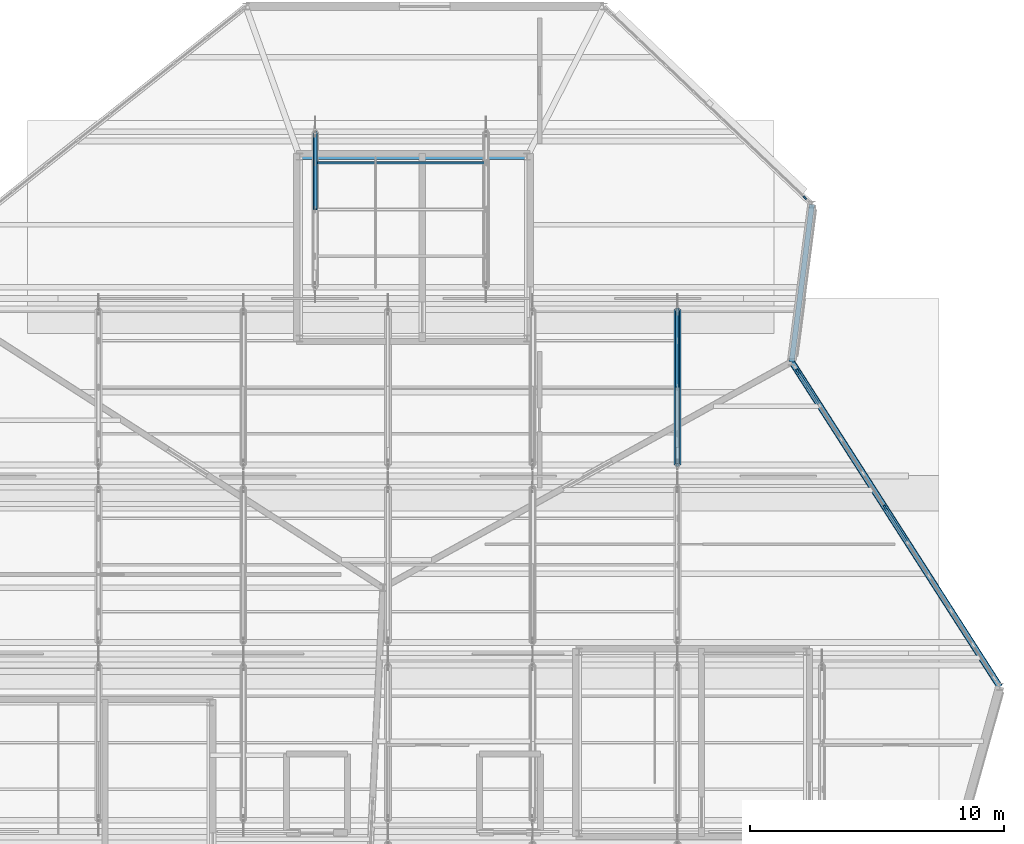
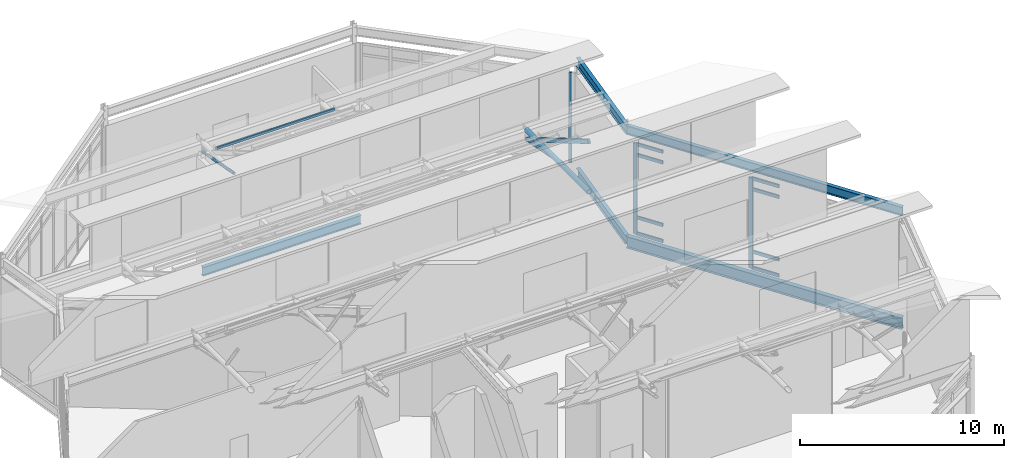
# One storey, part 36 of 55: 15 members, 6 beams, 2 elements without a shape of their own.
"""IFC4 building model written with IfcOpenShell, lengths in metres."""

from ifc_helpers import new_model, si_unit, direction, frame, origin, origin_2d, place, context, subcontext, project, spatial, rectangle, hollow_rectangle, hollow_circle, i_section, extrude, material, material_profile, profile_set, type_object, element, aggregate, save


model = new_model("IFC4")

# Units and contexts
model_context = context("Model", 3, precision=1e-05, world=origin(), true_north=direction((0.0, 1.0)))
body_context = subcontext(model_context, "Body", "Model", "MODEL_VIEW")
ifc_project = project(units=[si_unit("LENGTHUNIT", "METRE"), si_unit("AREAUNIT", "SQUARE_METRE"), si_unit("VOLUMEUNIT", "CUBIC_METRE"), si_unit("PLANEANGLEUNIT", "RADIAN"), si_unit("MASSUNIT", "GRAM", prefix="KILO")], contexts=[model_context])

# Site, building, storey
site_placement = place(None, origin())
site = spatial("IfcSite", under=ifc_project, at=site_placement, CompositionType="ELEMENT")
building_placement = place(site_placement, origin())
building = spatial("IfcBuilding", under=site, at=building_placement, Name="Tameran Prism Museum", CompositionType="ELEMENT")
storey_placement = place(building_placement, frame((0.0, 0.0, 28.800048828125)))
storey = spatial("IfcBuildingStorey", under=building, at=storey_placement, Name="L05", CompositionType="ELEMENT", Elevation=28.800048828125)

# Beams
ifc_material_1 = material(Name="Steel Grade C350L0 (350 MPa)", Category="steel")
ifc_material_profile_1 = material_profile(ifc_material_1, hollow_rectangle(XDim=0.10009765625, YDim=0.14990234375, WallThickness=0.006103515625, InnerFilletRadius=0.009033203125, OuterFilletRadius=0.014892578125, at=origin_2d()))
ifc_profile_set_1 = profile_set([ifc_material_profile_1])
beam_type_1 = type_object("IfcBeamType", Name="BM-PUR150", PredefinedType="USERDEFINED", material=ifc_profile_set_1)
beam_1_placement = place(storey_placement, frame((116.133056640625, 105.8359375, 6.75390625), z_axis=(1.0, 0.0, 0.0), x_axis=(0.0, 1.0, 0.0)))
element("IfcBeam", 1, at=beam_1_placement, inside=storey, type_object=beam_type_1, Name="Sawtooth Purlin PR-027", ObjectType="PURLIN", PredefinedType="USERDEFINED", context=body_context, shape_type="SweptSolid", body=[
    extrude(hollow_rectangle(XDim=0.10009765625, YDim=0.14990234375, WallThickness=0.006103515625, InnerFilletRadius=0.009033203125, OuterFilletRadius=0.014892578125, at=origin_2d()), origin(), (0.0, 0.0, 1.0), 6.73388671875),
])
ifc_material_2 = material(Name="Steel Grade 300PLUS (300 MPa)", Category="steel")
ifc_material_profile_2 = material_profile(ifc_material_2, i_section(OverallWidth=0.208984375, OverallDepth=0.528076171875, WebThickness=0.009521484375, FlangeThickness=0.01318359375, FilletRadius=0.013916015625, at=origin_2d()))
ifc_profile_set_2 = profile_set([ifc_material_profile_2])
beam_type_2 = type_object("IfcBeamType", Name="BM-SP530B", PredefinedType="SPANDREL", material=ifc_profile_set_2)
beam_2_placement = place(storey_placement, frame((143.10009765625, 85.199951171875, 6.10595703125), z_axis=(-0.539434641352, 0.842027474439, 0.0), x_axis=(-0.842027474439, -0.539434641352, 0.0)))
element("IfcBeam", 2, at=beam_2_placement, inside=storey, type_object=beam_type_2, Name="Roof Ring Beam RB-1259", PredefinedType="SPANDREL", context=body_context, shape_type="SweptSolid", body=[
    extrude(i_section(OverallWidth=0.208984375, OverallDepth=0.528076171875, WebThickness=0.009521484375, FlangeThickness=0.01318359375, FilletRadius=0.013916015625, at=origin_2d()), origin(), (0.0, 0.0, 1.0), 15.201416015625),
])
for number, where, z_axis, x_axis, name in (
    (3, (134.89990234375, 98.0, -0.504150390625), (0.127980011854, 0.991776747341, 0.0), (-0.991776747341, 0.127980011854, 0.0), "Perimeter Spandrel SP-1261"),
    (4, (134.89990234375, 98.0, 6.10595703125), (0.127980011854, 0.991776747341, 0.0), (-0.991776747341, 0.127980011854, 0.0), "Roof Ring Beam RB-1266"),
):
    element("IfcBeam", number, at=place(storey_placement, frame(where, z_axis=z_axis, x_axis=x_axis)), inside=storey, type_object=beam_type_2, Name=name, PredefinedType="SPANDREL", context=body_context, shape_type="SweptSolid", body=[
        extrude(i_section(OverallWidth=0.208984375, OverallDepth=0.528076171875, WebThickness=0.009521484375, FlangeThickness=0.01318359375, FilletRadius=0.013916015625, at=origin_2d()), origin(), (0.0, 0.0, 1.0), 6.25146484375),
    ])
beam_3_placement = place(storey_placement, frame((124.47998046875, 106.080078125, -0.504150390625), z_axis=(-1.0, 0.0, 0.0), x_axis=(0.0, -1.0, 0.0)))
element("IfcBeam", 5, at=beam_3_placement, inside=storey, type_object=beam_type_2, Name="Core Ring Beam CTB-1281", PredefinedType="SPANDREL", context=body_context, shape_type="SweptSolid", body=[
    extrude(i_section(OverallWidth=0.208984375, OverallDepth=0.528076171875, WebThickness=0.009521484375, FlangeThickness=0.01318359375, FilletRadius=0.013916015625, at=origin_2d()), origin(), (0.0, 0.0, 1.0), 8.9599609375),
])
ifc_material_3 = material(Name="Steel Grade 350 (350 MPa)", Category="steel")
ifc_material_profile_3 = material_profile(ifc_material_3, i_section(OverallWidth=0.25, OverallDepth=0.699951171875, WebThickness=0.010009765625, FlangeThickness=0.02001953125, at=origin_2d()))
ifc_profile_set_3 = profile_set([ifc_material_profile_3])
beam_type_3 = type_object("IfcBeamType", Name="BM-SP700", PredefinedType="SPANDREL", material=ifc_profile_set_3)
beam_4_placement = place(storey_placement, frame((143.10009765625, 85.199951171875, -0.590087890625), z_axis=(-0.539434641352, 0.842027474439, 0.0), x_axis=(-0.842027474439, -0.539434641352, 0.0)))
element("IfcBeam", 6, at=beam_4_placement, inside=storey, type_object=beam_type_3, Name="Perimeter Spandrel SP-1254", PredefinedType="SPANDREL", context=body_context, shape_type="SweptSolid", body=[
    extrude(i_section(OverallWidth=0.25, OverallDepth=0.699951171875, WebThickness=0.010009765625, FlangeThickness=0.02001953125, at=origin_2d()), origin(), (0.0, 0.0, 1.0), 15.201416015625),
])

# Curtain wall, member
ifc_material_4 = material(Name="Anodised Aluminium 6063-T6 and Cyclone Solar Glass", Category="aluminium")
curtain_wall_type_1 = type_object("IfcCurtainWallType", Name="CW-FAC-1062x542", PredefinedType="USERDEFINED", material=ifc_material_4)
curtain_wall_1_placement = place(storey_placement, origin())
curtain_wall_1 = element("IfcCurtainWall", 7, at=curtain_wall_1_placement, inside=storey, type_object=curtain_wall_type_1, Name="Unitised Curtain Wall CW-167", ObjectType="UNITISED CURTAIN WALL", PredefinedType="USERDEFINED")
ifc_material_5 = material(Name="Anodised Aluminium Alloy 6063-T6", Category="aluminium")
ifc_material_profile_4 = material_profile(ifc_material_5, rectangle(XDim=0.06494140625, YDim=0.159912109375, at=origin_2d()))
ifc_profile_set_4 = profile_set([ifc_material_profile_4])
member_type_1 = type_object("IfcMemberType", Name="CW-MUL-A", PredefinedType="MULLION", material=ifc_profile_set_4)
member_1_placement = place(storey_placement, frame((135.42236328125, 104.46337890625, 0.0), z_axis=(0.0, 0.0, 1.0), x_axis=(0.689274065662, 0.724500698692, 0.0)))
member_1 = element("IfcMember", 8, at=member_1_placement, type_object=member_type_1, Name="CW-167 mullion 8", PredefinedType="MULLION", context=body_context, shape_type="SweptSolid", body=[
    extrude(rectangle(XDim=0.06494140625, YDim=0.159912109375, at=origin_2d()), origin(), (0.0, 0.0, 1.0), 5.419921875),
])
aggregate(curtain_wall_1, [member_1])

# Curtain wall, members
ifc_material_6 = material(Name="Anodised Aluminium 6063-T6 and Cyclone Solar Glass", Category="aluminium")
curtain_wall_type_2 = type_object("IfcCurtainWallType", Name="CW-FAC-1444x542", PredefinedType="USERDEFINED", material=ifc_material_6)
curtain_wall_2_placement = place(storey_placement, origin())
curtain_wall_2 = element("IfcCurtainWall", 9, at=curtain_wall_2_placement, inside=storey, type_object=curtain_wall_type_2, Name="Unitised Curtain Wall CW-166", ObjectType="UNITISED CURTAIN WALL", PredefinedType="USERDEFINED")
ifc_material_7 = material(Name="Anodised Aluminium Alloy 6063-T6", Category="aluminium")
ifc_material_profile_5 = material_profile(ifc_material_7, rectangle(XDim=0.080078125, YDim=0.219970703125, at=origin_2d()))
ifc_profile_set_5 = profile_set([ifc_material_profile_5])
member_type_2 = type_object("IfcMemberType", Name="CW-MUL-D", PredefinedType="MULLION", material=ifc_profile_set_5)
member_2_placement = place(storey_placement, frame((135.142578125, 97.621337890625, 0.0), z_axis=(0.0, 0.0, 1.0), x_axis=(0.842032375697, 0.539426990683, 0.0)))
member_2 = element("IfcMember", 10, at=member_2_placement, type_object=member_type_2, Name="CW-166 mullion 1", PredefinedType="MULLION", context=body_context, shape_type="SweptSolid", body=[
    extrude(rectangle(XDim=0.080078125, YDim=0.219970703125, at=origin_2d()), origin(), (0.0, 0.0, 1.0), 5.419921875),
])
member_3_placement = place(storey_placement, frame((138.583251953125, 92.25048828125, 0.0), z_axis=(0.0, 0.0, 1.0), x_axis=(0.842032375697, 0.539426990683, 0.0)))
member_3 = element("IfcMember", 11, at=member_3_placement, type_object=member_type_2, Name="CW-166 mullion 5", PredefinedType="MULLION", context=body_context, shape_type="SweptSolid", body=[
    extrude(rectangle(XDim=0.080078125, YDim=0.219970703125, at=origin_2d()), origin(), (0.0, 0.0, 1.0), 5.419921875),
])
ifc_material_8 = material(Name="Anodised Aluminium Alloy 6063-T6", Category="aluminium")
ifc_material_profile_6 = material_profile(ifc_material_8, rectangle(XDim=0.080078125, YDim=0.195068359375, at=origin_2d()))
ifc_profile_set_6 = profile_set([ifc_material_profile_6])
member_type_3 = type_object("IfcMemberType", Name="CW-TRN-D", PredefinedType="USERDEFINED", material=ifc_profile_set_6)
member_4_placement = place(storey_placement, frame((135.1640625, 97.587646484375, 0.0400390625), z_axis=(0.539543579961, -0.841957674306, 0.0), x_axis=(0.841957674306, 0.539543579961, 0.0)))
member_4 = element("IfcMember", 12, at=member_4_placement, type_object=member_type_3, Name="CW-166 transom 1.1", ObjectType="TRANSOM", PredefinedType="USERDEFINED", context=body_context, shape_type="SweptSolid", body=[
    extrude(rectangle(XDim=0.080078125, YDim=0.195068359375, at=origin_2d()), origin(), (0.0, 0.0, 1.0), 1.484619140625),
])
member_5_placement = place(storey_placement, frame((135.1640625, 97.587646484375, 1.0), z_axis=(0.539543579961, -0.841957674306, 0.0), x_axis=(0.841957674306, 0.539543579961, 0.0)))
member_5 = element("IfcMember", 13, at=member_5_placement, type_object=member_type_3, Name="CW-166 transom 1.2", ObjectType="TRANSOM", PredefinedType="USERDEFINED", context=body_context, shape_type="SweptSolid", body=[
    extrude(rectangle(XDim=0.080078125, YDim=0.195068359375, at=origin_2d()), origin(), (0.0, 0.0, 1.0), 1.484619140625),
])
member_6_placement = place(storey_placement, frame((135.1640625, 97.587646484375, 4.739990234375), z_axis=(0.539543579961, -0.841957674306, 0.0), x_axis=(0.841957674306, 0.539543579961, 0.0)))
member_6 = element("IfcMember", 14, at=member_6_placement, type_object=member_type_3, Name="CW-166 transom 1.3", ObjectType="TRANSOM", PredefinedType="USERDEFINED", context=body_context, shape_type="SweptSolid", body=[
    extrude(rectangle(XDim=0.080078125, YDim=0.195068359375, at=origin_2d()), origin(), (0.0, 0.0, 1.0), 1.484619140625),
])
member_7_placement = place(storey_placement, frame((135.1640625, 97.587646484375, 5.3798828125), z_axis=(0.539543579961, -0.841957674306, 0.0), x_axis=(0.841957674306, 0.539543579961, 0.0)))
member_7 = element("IfcMember", 15, at=member_7_placement, type_object=member_type_3, Name="CW-166 transom 1.4", ObjectType="TRANSOM", PredefinedType="USERDEFINED", context=body_context, shape_type="SweptSolid", body=[
    extrude(rectangle(XDim=0.080078125, YDim=0.195068359375, at=origin_2d()), origin(), (0.0, 0.0, 1.0), 1.484619140625),
])
member_8_placement = place(storey_placement, frame((138.604736328125, 92.216796875, 0.0400390625), z_axis=(0.539494402493, -0.8419891862, 0.0), x_axis=(0.8419891862, 0.539494402493, 0.0)))
member_8 = element("IfcMember", 16, at=member_8_placement, type_object=member_type_3, Name="CW-166 transom 5.1", ObjectType="TRANSOM", PredefinedType="USERDEFINED", context=body_context, shape_type="SweptSolid", body=[
    extrude(rectangle(XDim=0.080078125, YDim=0.195068359375, at=origin_2d()), origin(), (0.0, 0.0, 1.0), 1.524658203125),
])
member_9_placement = place(storey_placement, frame((138.604736328125, 92.216796875, 1.0), z_axis=(0.539494402493, -0.8419891862, 0.0), x_axis=(0.8419891862, 0.539494402493, 0.0)))
member_9 = element("IfcMember", 17, at=member_9_placement, type_object=member_type_3, Name="CW-166 transom 5.2", ObjectType="TRANSOM", PredefinedType="USERDEFINED", context=body_context, shape_type="SweptSolid", body=[
    extrude(rectangle(XDim=0.080078125, YDim=0.195068359375, at=origin_2d()), origin(), (0.0, 0.0, 1.0), 1.524658203125),
])
member_10_placement = place(storey_placement, frame((138.604736328125, 92.216796875, 4.739990234375), z_axis=(0.539494402493, -0.8419891862, 0.0), x_axis=(0.8419891862, 0.539494402493, 0.0)))
member_10 = element("IfcMember", 18, at=member_10_placement, type_object=member_type_3, Name="CW-166 transom 5.3", ObjectType="TRANSOM", PredefinedType="USERDEFINED", context=body_context, shape_type="SweptSolid", body=[
    extrude(rectangle(XDim=0.080078125, YDim=0.195068359375, at=origin_2d()), origin(), (0.0, 0.0, 1.0), 1.524658203125),
])
member_11_placement = place(storey_placement, frame((138.604736328125, 92.216796875, 5.3798828125), z_axis=(0.539494402493, -0.8419891862, 0.0), x_axis=(0.8419891862, 0.539494402493, 0.0)))
member_11 = element("IfcMember", 19, at=member_11_placement, type_object=member_type_3, Name="CW-166 transom 5.4", ObjectType="TRANSOM", PredefinedType="USERDEFINED", context=body_context, shape_type="SweptSolid", body=[
    extrude(rectangle(XDim=0.080078125, YDim=0.195068359375, at=origin_2d()), origin(), (0.0, 0.0, 1.0), 1.524658203125),
])
aggregate(curtain_wall_2, [member_2, member_3, member_4, member_5, member_6, member_7, member_8, member_9, member_10, member_11])

# Members
ifc_material_9 = material(Name="Steel Grade C350L0 (350 MPa)", Category="steel")
ifc_material_profile_7 = material_profile(ifc_material_9, hollow_circle(Radius=0.084228515625, WallThickness=0.007080078125, at=origin_2d()))
ifc_profile_set_7 = profile_set([ifc_material_profile_7])
member_type_4 = type_object("IfcMemberType", Name="MM-BR-CHS168", PredefinedType="BRACE", material=ifc_profile_set_7)
for number, where, z_axis, x_axis, name in (
    (20, (130.39990234375, 97.0, 6.385986328125), (0.0, 0.982674587879, -0.185339295177), (-1.0, 0.0, 0.0), "Sawtooth Brace STM-0146"),
    (21, (116.133056640625, 104.0, 6.385986328125), (0.0, 0.982674587879, -0.185339295177), (-1.0, 0.0, 0.0), "Sawtooth Brace STM-0153"),
):
    element("IfcMember", number, at=place(storey_placement, frame(where, z_axis=z_axis, x_axis=x_axis)), inside=storey, type_object=member_type_4, Name=name, PredefinedType="BRACE", context=body_context, shape_type="SweptSolid", body=[
        extrude(hollow_circle(Radius=0.084228515625, WallThickness=0.007080078125, at=origin_2d()), origin(), (0.0, 0.0, 1.0), 3.114013671875),
    ])
ifc_material_10 = material(Name="Steel Grade C350L0 (350 MPa)", Category="steel")
ifc_material_profile_8 = material_profile(ifc_material_10, hollow_circle(Radius=0.136474609375, WallThickness=0.00927734375, at=origin_2d()))
ifc_profile_set_8 = profile_set([ifc_material_profile_8])
member_type_5 = type_object("IfcMemberType", Name="MM-CH-CHS273", PredefinedType="CHORD", material=ifc_profile_set_8)
member_12_placement = place(storey_placement, frame((130.39990234375, 93.93994140625, 6.385986328125), z_axis=(0.0, 1.0, 0.0), x_axis=(-1.0, 0.0, 0.0)))
element("IfcMember", 22, at=member_12_placement, inside=storey, type_object=member_type_5, Name="Sawtooth Chord STM-0141", PredefinedType="CHORD", context=body_context, shape_type="SweptSolid", body=[
    extrude(hollow_circle(Radius=0.136474609375, WallThickness=0.00927734375, at=origin_2d()), origin(), (0.0, 0.0, 1.0), 6.1201171875),
])
ifc_material_11 = material(Name="Steel Grade C350L0 (350 MPa)", Category="steel")
ifc_material_profile_9 = material_profile(ifc_material_11, hollow_rectangle(XDim=0.14990234375, YDim=0.25, WallThickness=0.009033203125, InnerFilletRadius=0.013427734375, OuterFilletRadius=0.0224609375, at=origin_2d()))
ifc_profile_set_9 = profile_set([ifc_material_profile_9])
member_type_6 = type_object("IfcMemberType", Name="MM-RF-RHS250", PredefinedType="RAFTER", material=ifc_profile_set_9)
member_13_placement = place(storey_placement, frame((130.39990234375, 93.93994140625, 9.408935546875), z_axis=(0.0, 0.861932447349, -0.507023131826), x_axis=(-1.0, 0.0, 0.0)))
element("IfcMember", 23, at=member_13_placement, inside=storey, type_object=member_type_6, Name="Sawtooth Rafter STM-0142", PredefinedType="RAFTER", context=body_context, shape_type="SweptSolid", body=[
    extrude(hollow_rectangle(XDim=0.14990234375, YDim=0.25, WallThickness=0.009033203125, InnerFilletRadius=0.013427734375, OuterFilletRadius=0.0224609375, at=origin_2d()), origin(), (0.0, 0.0, 1.0), 7.100341796875),
])

save(model, "model.ifc")
